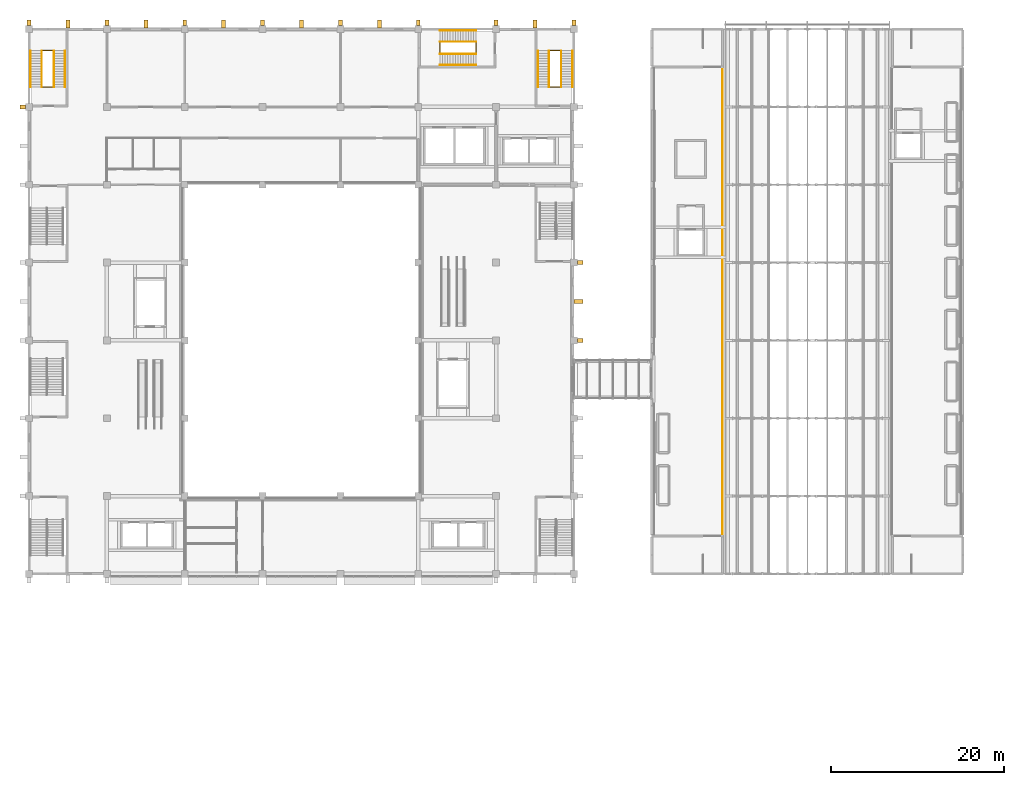
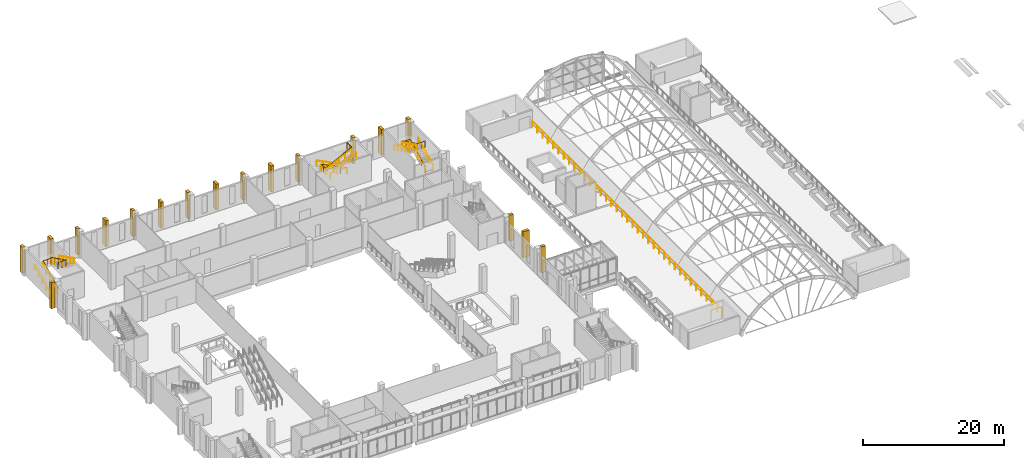
# One storey, part 75 of 79: 18 coverings, 16 railings.
"""IFC4 building model written with IfcOpenShell, lengths in metres."""

from ifc_helpers import new_model, si_unit, direction, frame, origin, origin_2d, place, context, subcontext, project, spatial, rectangle, circle, extrude, material, layer, layer_set, type_object, element, save


model = new_model("IFC4")

# Units and contexts
model_context = context("Model", 3, precision=1e-05, world=origin(), true_north=direction((0.0, 1.0)))
body_context = subcontext(model_context, "Body", "Model", "MODEL_VIEW")
ifc_project = project(units=[si_unit("LENGTHUNIT", "METRE"), si_unit("AREAUNIT", "SQUARE_METRE"), si_unit("VOLUMEUNIT", "CUBIC_METRE"), si_unit("PLANEANGLEUNIT", "RADIAN"), si_unit("MASSUNIT", "GRAM", prefix="KILO")], contexts=[model_context])

# Site, building, storey
site_placement = place(None, origin())
site = spatial("IfcSite", under=ifc_project, at=site_placement, CompositionType="ELEMENT")
building_placement = place(site_placement, origin())
building = spatial("IfcBuilding", under=site, at=building_placement, Name="Guidao Yard Department Store", CompositionType="ELEMENT")
storey_placement = place(building_placement, frame((0.0, 0.0, 15.0)))
storey = spatial("IfcBuildingStorey", under=building, at=storey_placement, Name="L03", CompositionType="ELEMENT", Elevation=15.0)

# Railings
ifc_material_1 = material(Name="Steel Q235", Category="steel")
railing_type_1 = type_object("IfcRailingType", Name="Guard steel balustrade 1100", PredefinedType="GUARDRAIL", material=ifc_material_1)
railing_1_placement = place(storey_placement, frame((1.52490234375, 101.300048828125, 0.14990234375)))
element("IfcRailing", 1, at=railing_1_placement, inside=storey, type_object=railing_type_1, Name="Stair A5 guard L03 5", PredefinedType="GUARDRAIL", context=body_context, shape_type="SweptSolid", body=[
    extrude(circle(Radius=0.02392578125, at=origin_2d()), frame((0.0, 0.0, 1.076171875), z_axis=(0.0, 0.894416792377, 0.447234392142), x_axis=(-1.0, 0.0, 0.0)), (0.0, 0.0, 1.0), 4.69580078125),
    extrude(circle(Radius=0.02392578125, at=origin_2d()), frame((0.0, 4.199951171875, 3.17626953125), z_axis=(1.0, 0.0, 0.0), x_axis=(0.0, 1.0, 0.0)), (0.0, 0.0, 1.0), 1.275146484375),
    extrude(circle(Radius=0.02392578125, at=origin_2d()), frame((1.275146484375, 4.199951171875, 3.17626953125), z_axis=(0.0, 0.0, 1.0), x_axis=(1.0, 0.0, 0.0)), (0.0, 0.0, 1.0), 0.14990234375),
    extrude(circle(Radius=0.02392578125, at=origin_2d()), frame((1.275146484375, 4.199951171875, 3.326171875), z_axis=(0.0, -0.894416792377, 0.447234392142), x_axis=(1.0, 0.0, 0.0)), (0.0, 0.0, 1.0), 4.69580078125),
    extrude(circle(Radius=0.02392578125, at=origin_2d()), frame((1.275146484375, 0.0, 5.42626953125), z_axis=(-1.0, 0.0, 0.0), x_axis=(0.0, -1.0, 0.0)), (0.0, 0.0, 1.0), 1.275146484375),
    extrude(circle(Radius=0.02099609375, at=origin_2d()), origin(), (0.0, 0.0, 1.0), 1.052001953125),
    extrude(circle(Radius=0.02099609375, at=origin_2d()), frame((0.0, 1.050048828125, 0.52490234375)), (0.0, 0.0, 1.0), 1.052001953125),
    extrude(circle(Radius=0.02099609375, at=origin_2d()), frame((0.0, 2.10009765625, 1.050048828125)), (0.0, 0.0, 1.0), 1.052001953125),
    extrude(circle(Radius=0.02099609375, at=origin_2d()), frame((0.0, 3.14990234375, 1.5751953125)), (0.0, 0.0, 1.0), 1.052001953125),
    extrude(circle(Radius=0.02099609375, at=origin_2d()), frame((0.0, 4.199951171875, 2.10009765625)), (0.0, 0.0, 1.0), 1.052001953125),
    extrude(circle(Radius=0.02099609375, at=origin_2d()), frame((0.6376953125, 4.199951171875, 2.10009765625)), (0.0, 0.0, 1.0), 1.052001953125),
    extrude(circle(Radius=0.02099609375, at=origin_2d()), frame((1.275146484375, 4.199951171875, 2.10009765625)), (0.0, 0.0, 1.0), 1.052001953125),
    extrude(circle(Radius=0.02099609375, at=origin_2d()), frame((1.275146484375, 4.199951171875, 2.25)), (0.0, 0.0, 1.0), 1.052001953125),
    extrude(circle(Radius=0.02099609375, at=origin_2d()), frame((1.275146484375, 3.14990234375, 2.77490234375)), (0.0, 0.0, 1.0), 1.052001953125),
    extrude(circle(Radius=0.02099609375, at=origin_2d()), frame((1.275146484375, 2.10009765625, 3.300048828125)), (0.0, 0.0, 1.0), 1.052001953125),
    extrude(circle(Radius=0.02099609375, at=origin_2d()), frame((1.275146484375, 1.050048828125, 3.8251953125)), (0.0, 0.0, 1.0), 1.052001953125),
    extrude(circle(Radius=0.02099609375, at=origin_2d()), frame((1.275146484375, 0.0, 4.35009765625)), (0.0, 0.0, 1.0), 1.052001953125),
    extrude(circle(Radius=0.02099609375, at=origin_2d()), frame((0.6376953125, 0.0, 4.35009765625)), (0.0, 0.0, 1.0), 1.052001953125),
    extrude(circle(Radius=0.02099609375, at=origin_2d()), frame((0.0, 0.0, 4.35009765625)), (0.0, 0.0, 1.0), 1.052001953125),
])
railing_2_placement = place(storey_placement, frame((61.47509765625, 101.300048828125, 0.14990234375)))
element("IfcRailing", 2, at=railing_2_placement, inside=storey, type_object=railing_type_1, Name="Stair A6 guard L03 6", PredefinedType="GUARDRAIL", context=body_context, shape_type="SweptSolid", body=[
    extrude(circle(Radius=0.02392578125, at=origin_2d()), frame((0.0, 0.0, 1.076171875), z_axis=(0.0, 0.894416792377, 0.447234392142), x_axis=(-1.0, 0.0, 0.0)), (0.0, 0.0, 1.0), 4.69580078125),
    extrude(circle(Radius=0.02392578125, at=origin_2d()), frame((0.0, 4.199951171875, 3.17626953125), z_axis=(-1.0, 0.0, 0.0), x_axis=(0.0, -1.0, 0.0)), (0.0, 0.0, 1.0), 1.275146484375),
    extrude(circle(Radius=0.02392578125, at=origin_2d()), frame((-1.275146484375, 4.199951171875, 3.17626953125), z_axis=(0.0, 0.0, 1.0), x_axis=(1.0, 0.0, 0.0)), (0.0, 0.0, 1.0), 0.14990234375),
    extrude(circle(Radius=0.02392578125, at=origin_2d()), frame((-1.275146484375, 4.199951171875, 3.326171875), z_axis=(0.0, -0.894416792377, 0.447234392142), x_axis=(1.0, 0.0, 0.0)), (0.0, 0.0, 1.0), 4.69580078125),
    extrude(circle(Radius=0.02392578125, at=origin_2d()), frame((-1.275146484375, 0.0, 5.42626953125), z_axis=(1.0, 0.0, 0.0), x_axis=(0.0, 1.0, 0.0)), (0.0, 0.0, 1.0), 1.275146484375),
    extrude(circle(Radius=0.02099609375, at=origin_2d()), origin(), (0.0, 0.0, 1.0), 1.052001953125),
    extrude(circle(Radius=0.02099609375, at=origin_2d()), frame((0.0, 1.050048828125, 0.52490234375)), (0.0, 0.0, 1.0), 1.052001953125),
    extrude(circle(Radius=0.02099609375, at=origin_2d()), frame((0.0, 2.10009765625, 1.050048828125)), (0.0, 0.0, 1.0), 1.052001953125),
    extrude(circle(Radius=0.02099609375, at=origin_2d()), frame((0.0, 3.14990234375, 1.5751953125)), (0.0, 0.0, 1.0), 1.052001953125),
    extrude(circle(Radius=0.02099609375, at=origin_2d()), frame((0.0, 4.199951171875, 2.10009765625)), (0.0, 0.0, 1.0), 1.052001953125),
    extrude(circle(Radius=0.02099609375, at=origin_2d()), frame((-0.6376953125, 4.199951171875, 2.10009765625)), (0.0, 0.0, 1.0), 1.052001953125),
    extrude(circle(Radius=0.02099609375, at=origin_2d()), frame((-1.275146484375, 4.199951171875, 2.10009765625)), (0.0, 0.0, 1.0), 1.052001953125),
    extrude(circle(Radius=0.02099609375, at=origin_2d()), frame((-1.275146484375, 4.199951171875, 2.25)), (0.0, 0.0, 1.0), 1.052001953125),
    extrude(circle(Radius=0.02099609375, at=origin_2d()), frame((-1.275146484375, 3.14990234375, 2.77490234375)), (0.0, 0.0, 1.0), 1.052001953125),
    extrude(circle(Radius=0.02099609375, at=origin_2d()), frame((-1.275146484375, 2.10009765625, 3.300048828125)), (0.0, 0.0, 1.0), 1.052001953125),
    extrude(circle(Radius=0.02099609375, at=origin_2d()), frame((-1.275146484375, 1.050048828125, 3.8251953125)), (0.0, 0.0, 1.0), 1.052001953125),
    extrude(circle(Radius=0.02099609375, at=origin_2d()), frame((-1.275146484375, 0.0, 4.35009765625)), (0.0, 0.0, 1.0), 1.052001953125),
    extrude(circle(Radius=0.02099609375, at=origin_2d()), frame((-0.6376953125, 0.0, 4.35009765625)), (0.0, 0.0, 1.0), 1.052001953125),
    extrude(circle(Radius=0.02099609375, at=origin_2d()), frame((0.0, 0.0, 4.35009765625)), (0.0, 0.0, 1.0), 1.052001953125),
])
railing_3_placement = place(storey_placement, frame((51.699951171875, 106.47509765625, 0.14990234375)))
element("IfcRailing", 3, at=railing_3_placement, inside=storey, type_object=railing_type_1, Name="Stair A7 guard L03 7", PredefinedType="GUARDRAIL", context=body_context, shape_type="SweptSolid", body=[
    extrude(circle(Radius=0.02392578125, at=origin_2d()), frame((0.0, 0.0, 1.076171875), z_axis=(-0.894416792377, 0.0, 0.447234392142), x_axis=(0.0, -1.0, 0.0)), (0.0, 0.0, 1.0), 4.69580078125),
    extrude(circle(Radius=0.02392578125, at=origin_2d()), frame((-4.199951171875, 0.0, 3.17626953125), z_axis=(0.0, -1.0, 0.0), x_axis=(1.0, 0.0, 0.0)), (0.0, 0.0, 1.0), 1.275146484375),
    extrude(circle(Radius=0.02392578125, at=origin_2d()), frame((-4.199951171875, -1.275146484375, 3.17626953125), z_axis=(0.0, 0.0, 1.0), x_axis=(1.0, 0.0, 0.0)), (0.0, 0.0, 1.0), 0.14990234375),
    extrude(circle(Radius=0.02392578125, at=origin_2d()), frame((-4.199951171875, -1.275146484375, 3.326171875), z_axis=(0.894416792377, 0.0, 0.447234392142), x_axis=(0.0, 1.0, 0.0)), (0.0, 0.0, 1.0), 4.69580078125),
    extrude(circle(Radius=0.02392578125, at=origin_2d()), frame((0.0, -1.275146484375, 5.42626953125), z_axis=(0.0, 1.0, 0.0), x_axis=(-1.0, 0.0, 0.0)), (0.0, 0.0, 1.0), 1.275146484375),
    extrude(circle(Radius=0.02099609375, at=origin_2d()), origin(), (0.0, 0.0, 1.0), 1.052001953125),
    extrude(circle(Radius=0.02099609375, at=origin_2d()), frame((-1.050048828125, 0.0, 0.52490234375)), (0.0, 0.0, 1.0), 1.052001953125),
    extrude(circle(Radius=0.02099609375, at=origin_2d()), frame((-2.10009765625, 0.0, 1.050048828125)), (0.0, 0.0, 1.0), 1.052001953125),
    extrude(circle(Radius=0.02099609375, at=origin_2d()), frame((-3.14990234375, 0.0, 1.5751953125)), (0.0, 0.0, 1.0), 1.052001953125),
    extrude(circle(Radius=0.02099609375, at=origin_2d()), frame((-4.199951171875, 0.0, 2.10009765625)), (0.0, 0.0, 1.0), 1.052001953125),
    extrude(circle(Radius=0.02099609375, at=origin_2d()), frame((-4.199951171875, -0.6376953125, 2.10009765625)), (0.0, 0.0, 1.0), 1.052001953125),
    extrude(circle(Radius=0.02099609375, at=origin_2d()), frame((-4.199951171875, -1.275146484375, 2.10009765625)), (0.0, 0.0, 1.0), 1.052001953125),
    extrude(circle(Radius=0.02099609375, at=origin_2d()), frame((-4.199951171875, -1.275146484375, 2.25)), (0.0, 0.0, 1.0), 1.052001953125),
    extrude(circle(Radius=0.02099609375, at=origin_2d()), frame((-3.14990234375, -1.275146484375, 2.77490234375)), (0.0, 0.0, 1.0), 1.052001953125),
    extrude(circle(Radius=0.02099609375, at=origin_2d()), frame((-2.10009765625, -1.275146484375, 3.300048828125)), (0.0, 0.0, 1.0), 1.052001953125),
    extrude(circle(Radius=0.02099609375, at=origin_2d()), frame((-1.050048828125, -1.275146484375, 3.8251953125)), (0.0, 0.0, 1.0), 1.052001953125),
    extrude(circle(Radius=0.02099609375, at=origin_2d()), frame((0.0, -1.275146484375, 4.35009765625)), (0.0, 0.0, 1.0), 1.052001953125),
    extrude(circle(Radius=0.02099609375, at=origin_2d()), frame((0.0, -0.6376953125, 4.35009765625)), (0.0, 0.0, 1.0), 1.052001953125),
    extrude(circle(Radius=0.02099609375, at=origin_2d()), frame((0.0, 0.0, 4.35009765625)), (0.0, 0.0, 1.0), 1.052001953125),
])
ifc_material_2 = material(Name="Steel Q235", Category="steel")
railing_type_2 = type_object("IfcRailingType", Name="Guard steel balustrade 1200", PredefinedType="GUARDRAIL", material=ifc_material_2)
railing_4_placement = place(storey_placement, frame((80.199951171875, 103.449951171875, 0.0)))
element("IfcRailing", 4, at=railing_4_placement, inside=storey, type_object=railing_type_2, Name="Guard garden ROOF-AW 1 L03", PredefinedType="GUARDRAIL", context=body_context, shape_type="SweptSolid", body=[
    extrude(circle(Radius=0.02392578125, at=origin_2d()), frame((0.0, 0.0, 1.17578125), z_axis=(0.0, -1.0, 0.0), x_axis=(1.0, 0.0, 0.0)), (0.0, 0.0, 1.0), 53.89990234375),
    extrude(circle(Radius=0.02099609375, at=origin_2d()), origin(), (0.0, 0.0, 1.0), 1.15185546875),
    extrude(circle(Radius=0.02099609375, at=origin_2d()), frame((0.0, -1.497314453125, 0.0)), (0.0, 0.0, 1.0), 1.15185546875),
    extrude(circle(Radius=0.02099609375, at=origin_2d()), frame((0.0, -2.994384765625, 0.0)), (0.0, 0.0, 1.0), 1.15185546875),
    extrude(circle(Radius=0.02099609375, at=origin_2d()), frame((0.0, -4.49169921875, 0.0)), (0.0, 0.0, 1.0), 1.15185546875),
    extrude(circle(Radius=0.02099609375, at=origin_2d()), frame((0.0, -5.98876953125, 0.0)), (0.0, 0.0, 1.0), 1.15185546875),
    extrude(circle(Radius=0.02099609375, at=origin_2d()), frame((0.0, -7.486083984375, 0.0)), (0.0, 0.0, 1.0), 1.15185546875),
    extrude(circle(Radius=0.02099609375, at=origin_2d()), frame((0.0, -8.9833984375, 0.0)), (0.0, 0.0, 1.0), 1.15185546875),
    extrude(circle(Radius=0.02099609375, at=origin_2d()), frame((0.0, -10.48046875, 0.0)), (0.0, 0.0, 1.0), 1.15185546875),
    extrude(circle(Radius=0.02099609375, at=origin_2d()), frame((0.0, -11.977783203125, 0.0)), (0.0, 0.0, 1.0), 1.15185546875),
    extrude(circle(Radius=0.02099609375, at=origin_2d()), frame((0.0, -13.47509765625, 0.0)), (0.0, 0.0, 1.0), 1.15185546875),
    extrude(circle(Radius=0.02099609375, at=origin_2d()), frame((0.0, -14.97216796875, 0.0)), (0.0, 0.0, 1.0), 1.15185546875),
    extrude(circle(Radius=0.02099609375, at=origin_2d()), frame((0.0, -16.469482421875, 0.0)), (0.0, 0.0, 1.0), 1.15185546875),
    extrude(circle(Radius=0.02099609375, at=origin_2d()), frame((0.0, -17.966552734375, 0.0)), (0.0, 0.0, 1.0), 1.15185546875),
    extrude(circle(Radius=0.02099609375, at=origin_2d()), frame((0.0, -19.4638671875, 0.0)), (0.0, 0.0, 1.0), 1.15185546875),
    extrude(circle(Radius=0.02099609375, at=origin_2d()), frame((0.0, -20.961181640625, 0.0)), (0.0, 0.0, 1.0), 1.15185546875),
    extrude(circle(Radius=0.02099609375, at=origin_2d()), frame((0.0, -22.458251953125, 0.0)), (0.0, 0.0, 1.0), 1.15185546875),
    extrude(circle(Radius=0.02099609375, at=origin_2d()), frame((0.0, -23.95556640625, 0.0)), (0.0, 0.0, 1.0), 1.15185546875),
    extrude(circle(Radius=0.02099609375, at=origin_2d()), frame((0.0, -25.45263671875, 0.0)), (0.0, 0.0, 1.0), 1.15185546875),
    extrude(circle(Radius=0.02099609375, at=origin_2d()), frame((0.0, -26.949951171875, 0.0)), (0.0, 0.0, 1.0), 1.15185546875),
    extrude(circle(Radius=0.02099609375, at=origin_2d()), frame((0.0, -28.447265625, 0.0)), (0.0, 0.0, 1.0), 1.15185546875),
    extrude(circle(Radius=0.02099609375, at=origin_2d()), frame((0.0, -29.9443359375, 0.0)), (0.0, 0.0, 1.0), 1.15185546875),
    extrude(circle(Radius=0.02099609375, at=origin_2d()), frame((0.0, -31.441650390625, 0.0)), (0.0, 0.0, 1.0), 1.15185546875),
    extrude(circle(Radius=0.02099609375, at=origin_2d()), frame((0.0, -32.938720703125, 0.0)), (0.0, 0.0, 1.0), 1.15185546875),
    extrude(circle(Radius=0.02099609375, at=origin_2d()), frame((0.0, -34.43603515625, 0.0)), (0.0, 0.0, 1.0), 1.15185546875),
    extrude(circle(Radius=0.02099609375, at=origin_2d()), frame((0.0, -35.933349609375, 0.0)), (0.0, 0.0, 1.0), 1.15185546875),
    extrude(circle(Radius=0.02099609375, at=origin_2d()), frame((0.0, -37.430419921875, 0.0)), (0.0, 0.0, 1.0), 1.15185546875),
    extrude(circle(Radius=0.02099609375, at=origin_2d()), frame((0.0, -38.927734375, 0.0)), (0.0, 0.0, 1.0), 1.15185546875),
    extrude(circle(Radius=0.02099609375, at=origin_2d()), frame((0.0, -40.4248046875, 0.0)), (0.0, 0.0, 1.0), 1.15185546875),
    extrude(circle(Radius=0.02099609375, at=origin_2d()), frame((0.0, -41.922119140625, 0.0)), (0.0, 0.0, 1.0), 1.15185546875),
    extrude(circle(Radius=0.02099609375, at=origin_2d()), frame((0.0, -43.41943359375, 0.0)), (0.0, 0.0, 1.0), 1.15185546875),
    extrude(circle(Radius=0.02099609375, at=origin_2d()), frame((0.0, -44.91650390625, 0.0)), (0.0, 0.0, 1.0), 1.15185546875),
    extrude(circle(Radius=0.02099609375, at=origin_2d()), frame((0.0, -46.413818359375, 0.0)), (0.0, 0.0, 1.0), 1.15185546875),
    extrude(circle(Radius=0.02099609375, at=origin_2d()), frame((0.0, -47.9111328125, 0.0)), (0.0, 0.0, 1.0), 1.15185546875),
    extrude(circle(Radius=0.02099609375, at=origin_2d()), frame((0.0, -49.408203125, 0.0)), (0.0, 0.0, 1.0), 1.15185546875),
    extrude(circle(Radius=0.02099609375, at=origin_2d()), frame((0.0, -50.905517578125, 0.0)), (0.0, 0.0, 1.0), 1.15185546875),
    extrude(circle(Radius=0.02099609375, at=origin_2d()), frame((0.0, -52.402587890625, 0.0)), (0.0, 0.0, 1.0), 1.15185546875),
    extrude(circle(Radius=0.02099609375, at=origin_2d()), frame((0.0, -53.89990234375, 0.0)), (0.0, 0.0, 1.0), 1.15185546875),
])
ifc_material_3 = material(Name="Steel Q235", Category="steel")
railing_type_3 = type_object("IfcRailingType", Name="Handrail steel tube 48", PredefinedType="HANDRAIL", material=ifc_material_3)
for number, where, name in (
    (5, (0.18505859375, 101.300048828125, 0.14990234375), "Stair A5 hand rail L03 17"),
    (6, (1.465087890625, 101.300048828125, 0.14990234375), "Stair A5 hand rail L03 18"),
):
    element("IfcRailing", number, at=place(storey_placement, frame(where)), inside=storey, type_object=railing_type_3, Name=name, PredefinedType="HANDRAIL", context=body_context, shape_type="SweptSolid", body=[
        extrude(circle(Radius=0.02392578125, at=origin_2d()), frame((0.0, 0.0, 0.8759765625), z_axis=(0.0, 0.894416792377, 0.447234392142), x_axis=(-1.0, 0.0, 0.0)), (0.0, 0.0, 1.0), 4.69580078125),
        extrude(circle(Radius=0.02099609375, at=origin_2d()), origin(), (0.0, 0.0, 1.0), 0.851806640625),
        extrude(circle(Radius=0.02099609375, at=origin_2d()), frame((0.0, 1.050048828125, 0.52490234375)), (0.0, 0.0, 1.0), 0.851806640625),
        extrude(circle(Radius=0.02099609375, at=origin_2d()), frame((0.0, 2.10009765625, 1.050048828125)), (0.0, 0.0, 1.0), 0.851806640625),
        extrude(circle(Radius=0.02099609375, at=origin_2d()), frame((0.0, 3.14990234375, 1.5751953125)), (0.0, 0.0, 1.0), 0.851806640625),
        extrude(circle(Radius=0.02099609375, at=origin_2d()), frame((0.0, 4.199951171875, 2.10009765625)), (0.0, 0.0, 1.0), 0.851806640625),
    ])
for number, where, name in (
    (7, (2.860107421875, 105.5, 2.39990234375), "Stair A5 hand rail L03 19"),
    (8, (4.139892578125, 105.5, 2.39990234375), "Stair A5 hand rail L03 20"),
):
    element("IfcRailing", number, at=place(storey_placement, frame(where)), inside=storey, type_object=railing_type_3, Name=name, PredefinedType="HANDRAIL", context=body_context, shape_type="SweptSolid", body=[
        extrude(circle(Radius=0.02392578125, at=origin_2d()), frame((0.0, 0.0, 0.8759765625), z_axis=(0.0, -0.894416792377, 0.447234392142), x_axis=(1.0, 0.0, 0.0)), (0.0, 0.0, 1.0), 4.69580078125),
        extrude(circle(Radius=0.02099609375, at=origin_2d()), origin(), (0.0, 0.0, 1.0), 0.851806640625),
        extrude(circle(Radius=0.02099609375, at=origin_2d()), frame((0.0, -1.050048828125, 0.52490234375)), (0.0, 0.0, 1.0), 0.851806640625),
        extrude(circle(Radius=0.02099609375, at=origin_2d()), frame((0.0, -2.10009765625, 1.050048828125)), (0.0, 0.0, 1.0), 0.851806640625),
        extrude(circle(Radius=0.02099609375, at=origin_2d()), frame((0.0, -3.14990234375, 1.5751953125)), (0.0, 0.0, 1.0), 0.851806640625),
        extrude(circle(Radius=0.02099609375, at=origin_2d()), frame((0.0, -4.199951171875, 2.10009765625)), (0.0, 0.0, 1.0), 0.851806640625),
    ])
for number, where, name in (
    (9, (62.81494140625, 101.300048828125, 0.14990234375), "Stair A6 hand rail L03 21"),
    (10, (61.534912109375, 101.300048828125, 0.14990234375), "Stair A6 hand rail L03 22"),
):
    element("IfcRailing", number, at=place(storey_placement, frame(where)), inside=storey, type_object=railing_type_3, Name=name, PredefinedType="HANDRAIL", context=body_context, shape_type="SweptSolid", body=[
        extrude(circle(Radius=0.02392578125, at=origin_2d()), frame((0.0, 0.0, 0.8759765625), z_axis=(0.0, 0.894416792377, 0.447234392142), x_axis=(-1.0, 0.0, 0.0)), (0.0, 0.0, 1.0), 4.69580078125),
        extrude(circle(Radius=0.02099609375, at=origin_2d()), origin(), (0.0, 0.0, 1.0), 0.851806640625),
        extrude(circle(Radius=0.02099609375, at=origin_2d()), frame((0.0, 1.050048828125, 0.52490234375)), (0.0, 0.0, 1.0), 0.851806640625),
        extrude(circle(Radius=0.02099609375, at=origin_2d()), frame((0.0, 2.10009765625, 1.050048828125)), (0.0, 0.0, 1.0), 0.851806640625),
        extrude(circle(Radius=0.02099609375, at=origin_2d()), frame((0.0, 3.14990234375, 1.5751953125)), (0.0, 0.0, 1.0), 0.851806640625),
        extrude(circle(Radius=0.02099609375, at=origin_2d()), frame((0.0, 4.199951171875, 2.10009765625)), (0.0, 0.0, 1.0), 0.851806640625),
    ])
for number, where, name in (
    (11, (60.139892578125, 105.5, 2.39990234375), "Stair A6 hand rail L03 23"),
    (12, (58.860107421875, 105.5, 2.39990234375), "Stair A6 hand rail L03 24"),
):
    element("IfcRailing", number, at=place(storey_placement, frame(where)), inside=storey, type_object=railing_type_3, Name=name, PredefinedType="HANDRAIL", context=body_context, shape_type="SweptSolid", body=[
        extrude(circle(Radius=0.02392578125, at=origin_2d()), frame((0.0, 0.0, 0.8759765625), z_axis=(0.0, -0.894416792377, 0.447234392142), x_axis=(1.0, 0.0, 0.0)), (0.0, 0.0, 1.0), 4.69580078125),
        extrude(circle(Radius=0.02099609375, at=origin_2d()), origin(), (0.0, 0.0, 1.0), 0.851806640625),
        extrude(circle(Radius=0.02099609375, at=origin_2d()), frame((0.0, -1.050048828125, 0.52490234375)), (0.0, 0.0, 1.0), 0.851806640625),
        extrude(circle(Radius=0.02099609375, at=origin_2d()), frame((0.0, -2.10009765625, 1.050048828125)), (0.0, 0.0, 1.0), 0.851806640625),
        extrude(circle(Radius=0.02099609375, at=origin_2d()), frame((0.0, -3.14990234375, 1.5751953125)), (0.0, 0.0, 1.0), 0.851806640625),
        extrude(circle(Radius=0.02099609375, at=origin_2d()), frame((0.0, -4.199951171875, 2.10009765625)), (0.0, 0.0, 1.0), 0.851806640625),
    ])
for number, where, name in (
    (13, (51.699951171875, 107.81494140625, 0.14990234375), "Stair A7 hand rail L03 25"),
    (14, (51.699951171875, 106.534912109375, 0.14990234375), "Stair A7 hand rail L03 26"),
):
    element("IfcRailing", number, at=place(storey_placement, frame(where)), inside=storey, type_object=railing_type_3, Name=name, PredefinedType="HANDRAIL", context=body_context, shape_type="SweptSolid", body=[
        extrude(circle(Radius=0.02392578125, at=origin_2d()), frame((0.0, 0.0, 0.8759765625), z_axis=(-0.894416792377, 0.0, 0.447234392142), x_axis=(0.0, -1.0, 0.0)), (0.0, 0.0, 1.0), 4.69580078125),
        extrude(circle(Radius=0.02099609375, at=origin_2d()), origin(), (0.0, 0.0, 1.0), 0.851806640625),
        extrude(circle(Radius=0.02099609375, at=origin_2d()), frame((-1.050048828125, 0.0, 0.52490234375)), (0.0, 0.0, 1.0), 0.851806640625),
        extrude(circle(Radius=0.02099609375, at=origin_2d()), frame((-2.10009765625, 0.0, 1.050048828125)), (0.0, 0.0, 1.0), 0.851806640625),
        extrude(circle(Radius=0.02099609375, at=origin_2d()), frame((-3.14990234375, 0.0, 1.5751953125)), (0.0, 0.0, 1.0), 0.851806640625),
        extrude(circle(Radius=0.02099609375, at=origin_2d()), frame((-4.199951171875, 0.0, 2.10009765625)), (0.0, 0.0, 1.0), 0.851806640625),
    ])
for number, where, name in (
    (15, (47.5, 105.139892578125, 2.39990234375), "Stair A7 hand rail L03 27"),
    (16, (47.5, 103.860107421875, 2.39990234375), "Stair A7 hand rail L03 28"),
):
    element("IfcRailing", number, at=place(storey_placement, frame(where)), inside=storey, type_object=railing_type_3, Name=name, PredefinedType="HANDRAIL", context=body_context, shape_type="SweptSolid", body=[
        extrude(circle(Radius=0.02392578125, at=origin_2d()), frame((0.0, 0.0, 0.8759765625), z_axis=(0.894416792377, 0.0, 0.447234392142), x_axis=(0.0, 1.0, 0.0)), (0.0, 0.0, 1.0), 4.69580078125),
        extrude(circle(Radius=0.02099609375, at=origin_2d()), origin(), (0.0, 0.0, 1.0), 0.851806640625),
        extrude(circle(Radius=0.02099609375, at=origin_2d()), frame((1.050048828125, 0.0, 0.52490234375)), (0.0, 0.0, 1.0), 0.851806640625),
        extrude(circle(Radius=0.02099609375, at=origin_2d()), frame((2.10009765625, 0.0, 1.050048828125)), (0.0, 0.0, 1.0), 0.851806640625),
        extrude(circle(Radius=0.02099609375, at=origin_2d()), frame((3.14990234375, 0.0, 1.5751953125)), (0.0, 0.0, 1.0), 0.851806640625),
        extrude(circle(Radius=0.02099609375, at=origin_2d()), frame((4.199951171875, 0.0, 2.10009765625)), (0.0, 0.0, 1.0), 0.851806640625),
    ])

# Coverings
ifc_material_4 = material(Name="Precast concrete C40/50", Category="concrete")
ifc_layer = layer(ifc_material_4, 0.449951171875)
ifc_layer_set = layer_set([ifc_layer], Name="Precast fin FN1 board-formed concrete")
covering_type = type_object("IfcCoveringType", Name="Precast fin FN1 board-formed concrete", PredefinedType="CLADDING", material=ifc_layer_set)
for number, where, z_axis, x_axis, name in (
    (17, (-0.72509765625, 99.0, 0.0), (0.0, 0.0, 1.0), (0.0, 1.0, 0.0), "Precast fin"),
    (18, (0.0, 108.72509765625, 0.0), (0.0, 0.0, 1.0), (1.0, 0.0, 0.0), "Precast fin"),
):
    element("IfcCovering", number, at=place(storey_placement, frame(where, z_axis=z_axis, x_axis=x_axis)), inside=storey, type_object=covering_type, Name=name, PredefinedType="CLADDING", context=body_context, shape_type="SweptSolid", body=[
        extrude(rectangle(XDim=0.449951171875, YDim=0.64990234375, at=origin_2d()), origin(), (0.0, 0.0, 1.0), 4.5),
    ])
covering_1_placement = place(storey_placement, frame((4.5, 108.60009765625, 0.0), z_axis=(0.0, 0.0, 1.0), x_axis=(1.0, 0.0, 0.0)))
element("IfcCovering", 19, at=covering_1_placement, inside=storey, type_object=covering_type, Name="Precast fin", PredefinedType="CLADDING", context=body_context, shape_type="SweptSolid", body=[
    extrude(rectangle(XDim=0.449951171875, YDim=0.89990234375, at=origin_2d()), origin(), (0.0, 0.0, 1.0), 4.5),
])
covering_2_placement = place(storey_placement, frame((9.0, 108.72509765625, 0.0), z_axis=(0.0, 0.0, 1.0), x_axis=(1.0, 0.0, 0.0)))
element("IfcCovering", 20, at=covering_2_placement, inside=storey, type_object=covering_type, Name="Precast fin", PredefinedType="CLADDING", context=body_context, shape_type="SweptSolid", body=[
    extrude(rectangle(XDim=0.449951171875, YDim=0.64990234375, at=origin_2d()), origin(), (0.0, 0.0, 1.0), 4.5),
])
covering_3_placement = place(storey_placement, frame((13.5, 108.60009765625, 0.0), z_axis=(0.0, 0.0, 1.0), x_axis=(1.0, 0.0, 0.0)))
element("IfcCovering", 21, at=covering_3_placement, inside=storey, type_object=covering_type, Name="Precast fin", PredefinedType="CLADDING", context=body_context, shape_type="SweptSolid", body=[
    extrude(rectangle(XDim=0.449951171875, YDim=0.89990234375, at=origin_2d()), origin(), (0.0, 0.0, 1.0), 4.5),
])
covering_4_placement = place(storey_placement, frame((18.0, 108.72509765625, 0.0), z_axis=(0.0, 0.0, 1.0), x_axis=(1.0, 0.0, 0.0)))
element("IfcCovering", 22, at=covering_4_placement, inside=storey, type_object=covering_type, Name="Precast fin", PredefinedType="CLADDING", context=body_context, shape_type="SweptSolid", body=[
    extrude(rectangle(XDim=0.449951171875, YDim=0.64990234375, at=origin_2d()), origin(), (0.0, 0.0, 1.0), 4.5),
])
covering_5_placement = place(storey_placement, frame((22.5, 108.60009765625, 0.0), z_axis=(0.0, 0.0, 1.0), x_axis=(1.0, 0.0, 0.0)))
element("IfcCovering", 23, at=covering_5_placement, inside=storey, type_object=covering_type, Name="Precast fin", PredefinedType="CLADDING", context=body_context, shape_type="SweptSolid", body=[
    extrude(rectangle(XDim=0.449951171875, YDim=0.89990234375, at=origin_2d()), origin(), (0.0, 0.0, 1.0), 4.5),
])
covering_6_placement = place(storey_placement, frame((27.0, 108.72509765625, 0.0), z_axis=(0.0, 0.0, 1.0), x_axis=(1.0, 0.0, 0.0)))
element("IfcCovering", 24, at=covering_6_placement, inside=storey, type_object=covering_type, Name="Precast fin", PredefinedType="CLADDING", context=body_context, shape_type="SweptSolid", body=[
    extrude(rectangle(XDim=0.449951171875, YDim=0.64990234375, at=origin_2d()), origin(), (0.0, 0.0, 1.0), 4.5),
])
covering_7_placement = place(storey_placement, frame((31.5, 108.60009765625, 0.0), z_axis=(0.0, 0.0, 1.0), x_axis=(1.0, 0.0, 0.0)))
element("IfcCovering", 25, at=covering_7_placement, inside=storey, type_object=covering_type, Name="Precast fin", PredefinedType="CLADDING", context=body_context, shape_type="SweptSolid", body=[
    extrude(rectangle(XDim=0.449951171875, YDim=0.89990234375, at=origin_2d()), origin(), (0.0, 0.0, 1.0), 4.5),
])
covering_8_placement = place(storey_placement, frame((36.0, 108.72509765625, 0.0), z_axis=(0.0, 0.0, 1.0), x_axis=(1.0, 0.0, 0.0)))
element("IfcCovering", 26, at=covering_8_placement, inside=storey, type_object=covering_type, Name="Precast fin", PredefinedType="CLADDING", context=body_context, shape_type="SweptSolid", body=[
    extrude(rectangle(XDim=0.449951171875, YDim=0.64990234375, at=origin_2d()), origin(), (0.0, 0.0, 1.0), 4.5),
])
covering_9_placement = place(storey_placement, frame((40.5, 108.60009765625, 0.0), z_axis=(0.0, 0.0, 1.0), x_axis=(1.0, 0.0, 0.0)))
element("IfcCovering", 27, at=covering_9_placement, inside=storey, type_object=covering_type, Name="Precast fin", PredefinedType="CLADDING", context=body_context, shape_type="SweptSolid", body=[
    extrude(rectangle(XDim=0.449951171875, YDim=0.89990234375, at=origin_2d()), origin(), (0.0, 0.0, 1.0), 4.5),
])
for number, where, z_axis, x_axis, name in (
    (28, (45.0, 108.72509765625, 0.0), (0.0, 0.0, 1.0), (1.0, 0.0, 0.0), "Precast fin"),
    (29, (54.0, 108.72509765625, 0.0), (0.0, 0.0, 1.0), (1.0, 0.0, 0.0), "Precast fin"),
):
    element("IfcCovering", number, at=place(storey_placement, frame(where, z_axis=z_axis, x_axis=x_axis)), inside=storey, type_object=covering_type, Name=name, PredefinedType="CLADDING", context=body_context, shape_type="SweptSolid", body=[
        extrude(rectangle(XDim=0.449951171875, YDim=0.64990234375, at=origin_2d()), origin(), (0.0, 0.0, 1.0), 4.5),
    ])
covering_10_placement = place(storey_placement, frame((58.5, 108.60009765625, 0.0), z_axis=(0.0, 0.0, 1.0), x_axis=(1.0, 0.0, 0.0)))
element("IfcCovering", 30, at=covering_10_placement, inside=storey, type_object=covering_type, Name="Precast fin", PredefinedType="CLADDING", context=body_context, shape_type="SweptSolid", body=[
    extrude(rectangle(XDim=0.449951171875, YDim=0.89990234375, at=origin_2d()), origin(), (0.0, 0.0, 1.0), 4.5),
])
for number, where, z_axis, x_axis, name in (
    (31, (63.0, 108.72509765625, 0.0), (0.0, 0.0, 1.0), (1.0, 0.0, 0.0), "Precast fin"),
    (32, (63.72509765625, 72.0, 0.0), (0.0, 0.0, 1.0), (0.0, -1.0, 0.0), "Precast fin"),
):
    element("IfcCovering", number, at=place(storey_placement, frame(where, z_axis=z_axis, x_axis=x_axis)), inside=storey, type_object=covering_type, Name=name, PredefinedType="CLADDING", context=body_context, shape_type="SweptSolid", body=[
        extrude(rectangle(XDim=0.449951171875, YDim=0.64990234375, at=origin_2d()), origin(), (0.0, 0.0, 1.0), 4.5),
    ])
covering_11_placement = place(storey_placement, frame((63.52490234375, 76.5, 0.0), z_axis=(0.0, 0.0, 1.0), x_axis=(0.0, -1.0, 0.0)))
element("IfcCovering", 33, at=covering_11_placement, inside=storey, type_object=covering_type, Name="Precast fin", PredefinedType="CLADDING", context=body_context, shape_type="SweptSolid", body=[
    extrude(rectangle(XDim=0.449951171875, YDim=1.050048828125, at=origin_2d()), origin(), (0.0, 0.0, 1.0), 4.5),
])
covering_12_placement = place(storey_placement, frame((63.72509765625, 81.0, 0.0), z_axis=(0.0, 0.0, 1.0), x_axis=(0.0, -1.0, 0.0)))
element("IfcCovering", 34, at=covering_12_placement, inside=storey, type_object=covering_type, Name="Precast fin", PredefinedType="CLADDING", context=body_context, shape_type="SweptSolid", body=[
    extrude(rectangle(XDim=0.449951171875, YDim=0.64990234375, at=origin_2d()), origin(), (0.0, 0.0, 1.0), 4.5),
])

save(model, "model.ifc")
